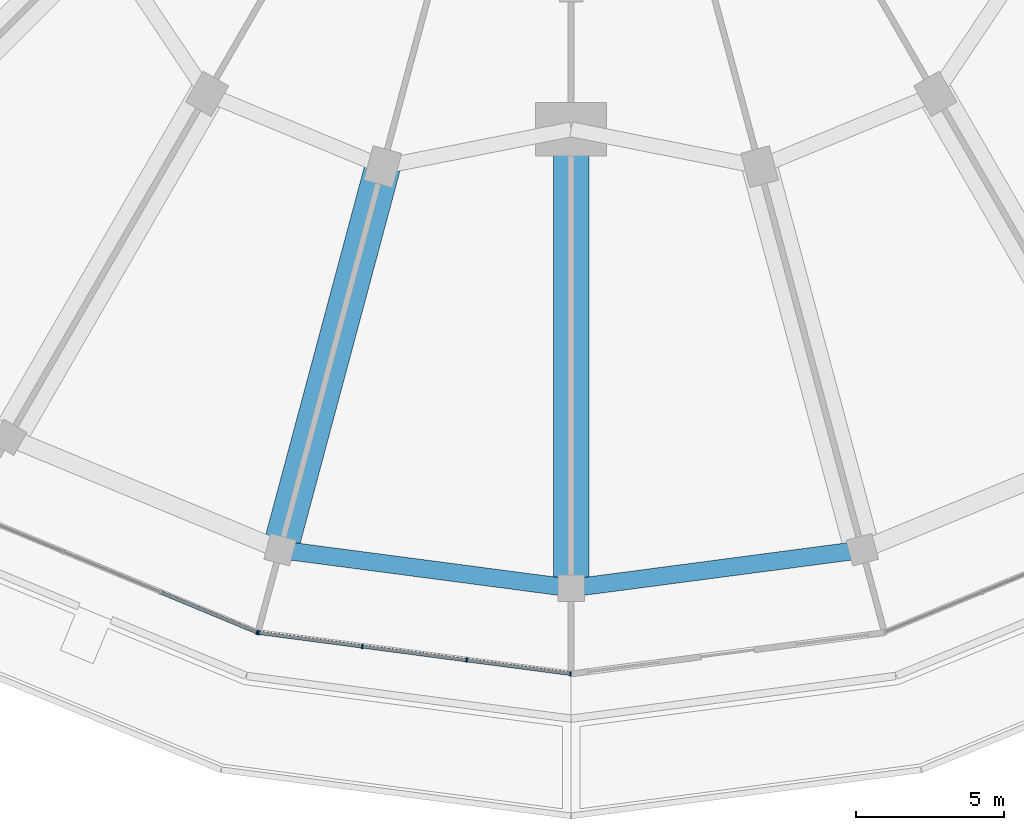
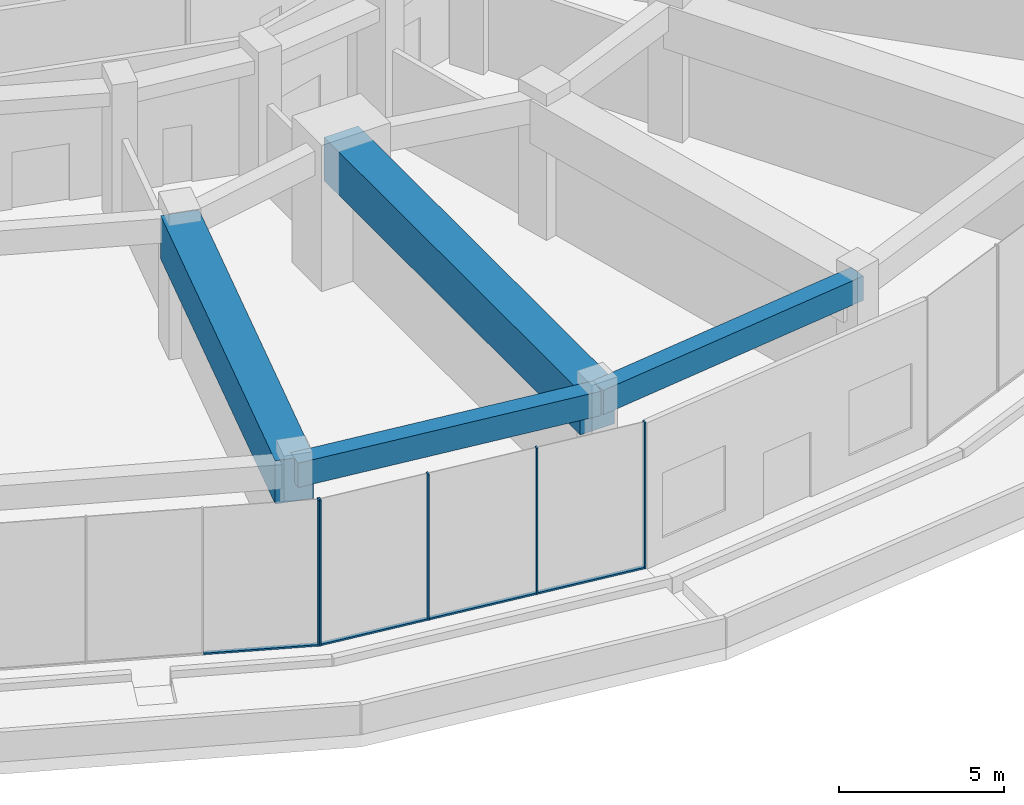
# One storey, part 5 of 30: 9 members, 4 beams, 2 elements without a shape of their own.
"""IFC4 building model written with IfcOpenShell, lengths in metres."""

from ifc_helpers import new_model, si_unit, direction, frame, origin, origin_2d, place, context, subcontext, project, spatial, rectangle, extrude, material, layer, layer_set, material_profile, profile_set, type_object, element, aggregate, save


model = new_model("IFC4")

# Units and contexts
model_context = context("Model", 3, precision=1e-05, world=origin(), true_north=direction((0.0, 1.0)))
body_context = subcontext(model_context, "Body", "Model", "MODEL_VIEW")
ifc_project = project(units=[si_unit("LENGTHUNIT", "METRE"), si_unit("AREAUNIT", "SQUARE_METRE"), si_unit("VOLUMEUNIT", "CUBIC_METRE"), si_unit("PLANEANGLEUNIT", "RADIAN"), si_unit("MASSUNIT", "GRAM", prefix="KILO")], contexts=[model_context])

# Site, building, storey
site_placement = place(None, origin())
site = spatial("IfcSite", under=ifc_project, at=site_placement, CompositionType="ELEMENT")
building_placement = place(site_placement, origin())
building = spatial("IfcBuilding", under=site, at=building_placement, Name="Torre Brocal", CompositionType="ELEMENT")
storey_placement = place(building_placement, frame((0.0, 0.0, 7.0)))
storey = spatial("IfcBuildingStorey", under=building, at=storey_placement, Name="L01", CompositionType="ELEMENT", Elevation=7.0)

# Curtain wall, member
ifc_material_1 = material(Name="Aluminium and glass", Category="aluminium")
ifc_layer = layer(ifc_material_1, 0.199951171875)
ifc_layer_set = layer_set([ifc_layer], Name="Aluminium and glass")
curtain_wall_type = type_object("IfcCurtainWallType", Name="CW-3 CURTAIN WALL 5400 HIGH", PredefinedType="NOTDEFINED", material=ifc_layer_set)
curtain_wall_1_placement = place(storey_placement, origin())
curtain_wall_1 = element("IfcCurtainWall", 1, at=curtain_wall_1_placement, inside=storey, type_object=curtain_wall_type, Name="CW-3 RUN 17", PredefinedType="NOTDEFINED")
ifc_material_2 = material(Name="Aluminium, dark anodised", Category="aluminium")
ifc_material_profile_1 = material_profile(ifc_material_2, rectangle(XDim=0.14990234375, YDim=0.050048828125, at=origin_2d()), Name="CW-3 MULLION 50X150")
ifc_profile_set_1 = profile_set([ifc_material_profile_1], Name="Aluminium, dark anodised")
member_type_1 = type_object("IfcMemberType", Name="CW-3 MULLION 50X150", PredefinedType="MULLION", material=ifc_profile_set_1)
member_1_placement = place(storey_placement, frame((69.391357421875, 35.504150390625, 0.0), z_axis=(0.0, 0.0, 1.0), x_axis=(0.382683432397, 0.923879532498, 0.0)))
member_1 = element("IfcMember", 2, at=member_1_placement, type_object=member_type_1, Name="CW3-2 mullion 4", PredefinedType="MULLION", context=body_context, shape_type="SweptSolid", body=[
    extrude(rectangle(XDim=0.14990234375, YDim=0.050048828125, at=origin_2d()), origin(), (0.0, 0.0, 1.0), 5.39990234375),
])

# Curtain wall, members
curtain_wall_2_placement = place(storey_placement, origin())
curtain_wall_2 = element("IfcCurtainWall", 3, at=curtain_wall_2_placement, inside=storey, type_object=curtain_wall_type, Name="CW-3 RUN 18", PredefinedType="NOTDEFINED")
member_2_placement = place(storey_placement, frame((69.439208984375, 35.4912109375, 0.0), z_axis=(0.0, 0.0, 1.0), x_axis=(0.130526192185, 0.991444861378, 0.0)))
member_2 = element("IfcMember", 4, at=member_2_placement, type_object=member_type_1, Name="CW3-2 mullion 1", PredefinedType="MULLION", context=body_context, shape_type="SweptSolid", body=[
    extrude(rectangle(XDim=0.14990234375, YDim=0.050048828125, at=origin_2d()), origin(), (0.0, 0.0, 1.0), 5.39990234375),
])
member_3_placement = place(storey_placement, frame((72.943115234375, 35.030029296875, 0.0), z_axis=(0.0, 0.0, 1.0), x_axis=(0.130526192185, 0.991444861378, 0.0)))
member_3 = element("IfcMember", 5, at=member_3_placement, type_object=member_type_1, Name="CW3-2 mullion 2", PredefinedType="MULLION", context=body_context, shape_type="SweptSolid", body=[
    extrude(rectangle(XDim=0.14990234375, YDim=0.050048828125, at=origin_2d()), origin(), (0.0, 0.0, 1.0), 5.39990234375),
])
member_4_placement = place(storey_placement, frame((76.471435546875, 34.5654296875, 0.0), z_axis=(0.0, 0.0, 1.0), x_axis=(0.130526192185, 0.991444861378, 0.0)))
member_4 = element("IfcMember", 6, at=member_4_placement, type_object=member_type_1, Name="CW3-2 mullion 3", PredefinedType="MULLION", context=body_context, shape_type="SweptSolid", body=[
    extrude(rectangle(XDim=0.14990234375, YDim=0.050048828125, at=origin_2d()), origin(), (0.0, 0.0, 1.0), 5.39990234375),
])
member_5_placement = place(storey_placement, frame((79.97509765625, 34.104248046875, 0.0), z_axis=(0.0, 0.0, 1.0), x_axis=(0.130526192185, 0.991444861378, 0.0)))
member_5 = element("IfcMember", 7, at=member_5_placement, type_object=member_type_1, Name="CW3-2 mullion 4", PredefinedType="MULLION", context=body_context, shape_type="SweptSolid", body=[
    extrude(rectangle(XDim=0.14990234375, YDim=0.050048828125, at=origin_2d()), origin(), (0.0, 0.0, 1.0), 5.39990234375),
])

# Member
ifc_material_3 = material(Name="Aluminium, dark anodised", Category="aluminium")
ifc_material_profile_2 = material_profile(ifc_material_3, rectangle(XDim=0.1201171875, YDim=0.06005859375, at=origin_2d()), Name="CW-3 TRANSOM 120X60")
ifc_profile_set_2 = profile_set([ifc_material_profile_2], Name="Aluminium, dark anodised")
member_type_2 = type_object("IfcMemberType", Name="CW-3 TRANSOM 120X60", PredefinedType="USERDEFINED", material=ifc_profile_set_2)
member_6_placement = place(storey_placement, frame((66.149658203125, 36.846923828125, 0.030029296875), z_axis=(0.923879324553, -0.382683934419, 0.0), x_axis=(0.382683934419, 0.923879324553, 0.0)))
member_6 = element("IfcMember", 8, at=member_6_placement, type_object=member_type_2, Name="CW3-2 transom 3.1", ObjectType="TRANSOM", PredefinedType="USERDEFINED", context=body_context, shape_type="SweptSolid", body=[
    extrude(rectangle(XDim=0.1201171875, YDim=0.06005859375, at=origin_2d()), origin(), (0.0, 0.0, 1.0), 3.48388671875),
])

aggregate(curtain_wall_1, [member_1, member_6])

member_7_placement = place(storey_placement, frame((69.464111328125, 35.488037109375, 0.030029296875), z_axis=(0.991441410766, -0.130552399509, 0.0), x_axis=(0.130552399509, 0.991441410766, 0.0)))
member_7 = element("IfcMember", 9, at=member_7_placement, type_object=member_type_2, Name="CW3-2 transom 1.1", ObjectType="TRANSOM", PredefinedType="USERDEFINED", context=body_context, shape_type="SweptSolid", body=[
    extrude(rectangle(XDim=0.1201171875, YDim=0.06005859375, at=origin_2d()), origin(), (0.0, 0.0, 1.0), 3.48388671875),
])

member_8_placement = place(storey_placement, frame((72.9677734375, 35.026611328125, 0.030029296875), z_axis=(0.991445294361, -0.130522903314, 0.0), x_axis=(0.130522903314, 0.991445294361, 0.0)))
member_8 = element("IfcMember", 10, at=member_8_placement, type_object=member_type_2, Name="CW3-2 transom 2.1", ObjectType="TRANSOM", PredefinedType="USERDEFINED", context=body_context, shape_type="SweptSolid", body=[
    extrude(rectangle(XDim=0.1201171875, YDim=0.06005859375, at=origin_2d()), origin(), (0.0, 0.0, 1.0), 3.509033203125),
])

member_9_placement = place(storey_placement, frame((76.496337890625, 34.562255859375, 0.030029296875), z_axis=(0.991441410766, -0.130552399509, 0.0), x_axis=(0.130552399509, 0.991441410766, 0.0)))
member_9 = element("IfcMember", 11, at=member_9_placement, type_object=member_type_2, Name="CW3-2 transom 3.1", ObjectType="TRANSOM", PredefinedType="USERDEFINED", context=body_context, shape_type="SweptSolid", body=[
    extrude(rectangle(XDim=0.1201171875, YDim=0.06005859375, at=origin_2d()), origin(), (0.0, 0.0, 1.0), 3.48388671875),
])

aggregate(curtain_wall_2, [member_2, member_3, member_4, member_5, member_7, member_8, member_9])

# Beams
ifc_material_4 = material(Name="Concrete C50", Category="concrete")
ifc_material_profile_3 = material_profile(ifc_material_4, rectangle(XDim=0.60009765625, YDim=0.89990234375, at=origin_2d()), Name="RC 600X900")
ifc_profile_set_3 = profile_set([ifc_material_profile_3], Name="Concrete C50")
beam_type_1 = type_object("IfcBeamType", Name="RC BEAM 600X900 C50 TOP 4950", PredefinedType="BEAM", material=ifc_profile_set_3)
for number, where, z_axis, x_axis, name in (
    (12, (70.164794921875, 38.294921875, 4.5), (0.991443653839, -0.13053536403, 0.0), (0.13053536403, 0.991443653839, 0.0), "Beam BT-10"),
    (13, (80.0, 37.0, 4.5), (0.991443653839, 0.13053536403, 0.0), (-0.13053536403, 0.991443653839, 0.0), "Beam BT-10"),
):
    element("IfcBeam", number, at=place(storey_placement, frame(where, z_axis=z_axis, x_axis=x_axis)), inside=storey, type_object=beam_type_1, Name=name, PredefinedType="BEAM", context=body_context, shape_type="SweptSolid", body=[
        extrude(rectangle(XDim=0.60009765625, YDim=0.89990234375, at=origin_2d()), origin(), (0.0, 0.0, 1.0), 9.920166015625),
    ])
ifc_material_5 = material(Name="Concrete C60", Category="concrete")
ifc_material_profile_4 = material_profile(ifc_material_5, rectangle(XDim=1.199951171875, YDim=1.60009765625, at=origin_2d()), Name="RC 1200X1600")
ifc_profile_set_4 = profile_set([ifc_material_profile_4], Name="Concrete C60")
beam_type_2 = type_object("IfcBeamType", Name="RC TRANSFER GIRDER 1200X1600 C60 TOP 4950", PredefinedType="BEAM", material=ifc_profile_set_4)
beam_1_placement = place(storey_placement, frame((73.633056640625, 51.23828125, 4.14990234375), z_axis=(-0.258825940132, -0.965923978745, 0.0), x_axis=(0.965923978745, -0.258825940132, 0.0)))
element("IfcBeam", 14, at=beam_1_placement, inside=storey, type_object=beam_type_2, Name="Beam TG-02", PredefinedType="BEAM", context=body_context, shape_type="SweptSolid", body=[
    extrude(rectangle(XDim=1.199951171875, YDim=1.60009765625, at=origin_2d()), origin(), (0.0, 0.0, 1.0), 13.39990234375),
])
beam_2_placement = place(storey_placement, frame((80.0, 52.5, 4.14990234375), z_axis=(0.0, -1.0, 0.0), x_axis=(1.0, 0.0, 0.0)))
element("IfcBeam", 15, at=beam_2_placement, inside=storey, type_object=beam_type_2, Name="Beam TG-02", PredefinedType="BEAM", context=body_context, shape_type="SweptSolid", body=[
    extrude(rectangle(XDim=1.199951171875, YDim=1.60009765625, at=origin_2d()), origin(), (0.0, 0.0, 1.0), 15.5),
])

save(model, "model.ifc")
